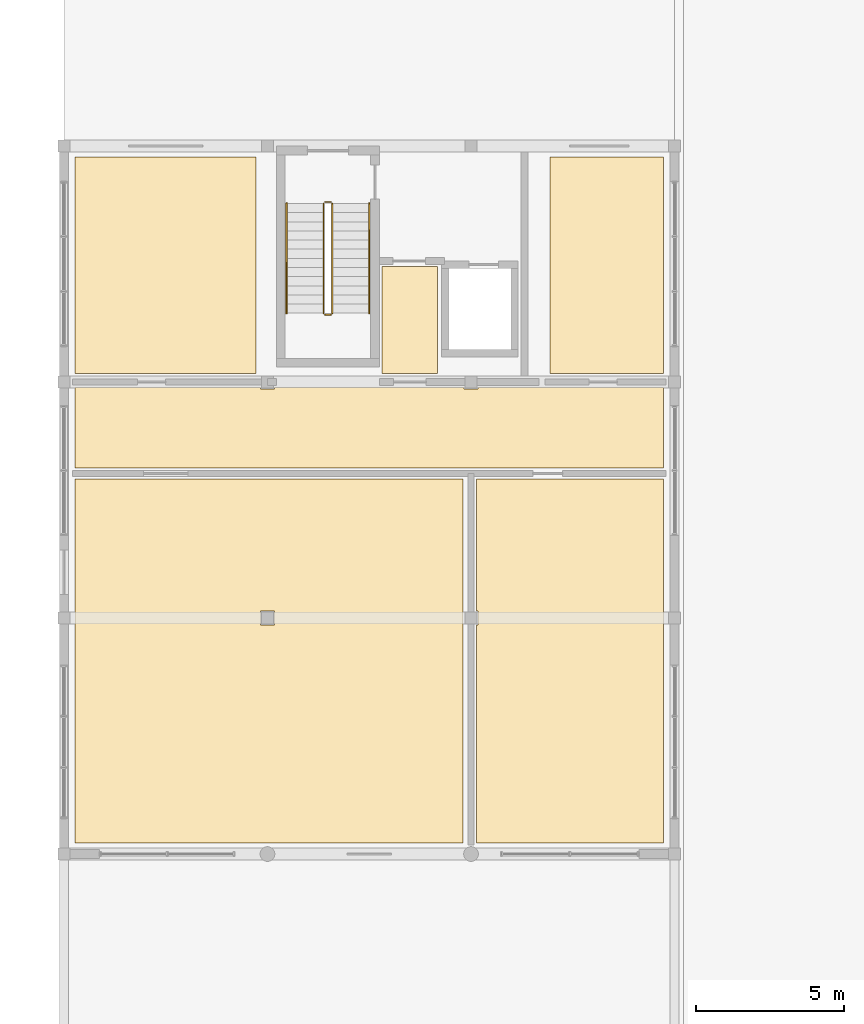
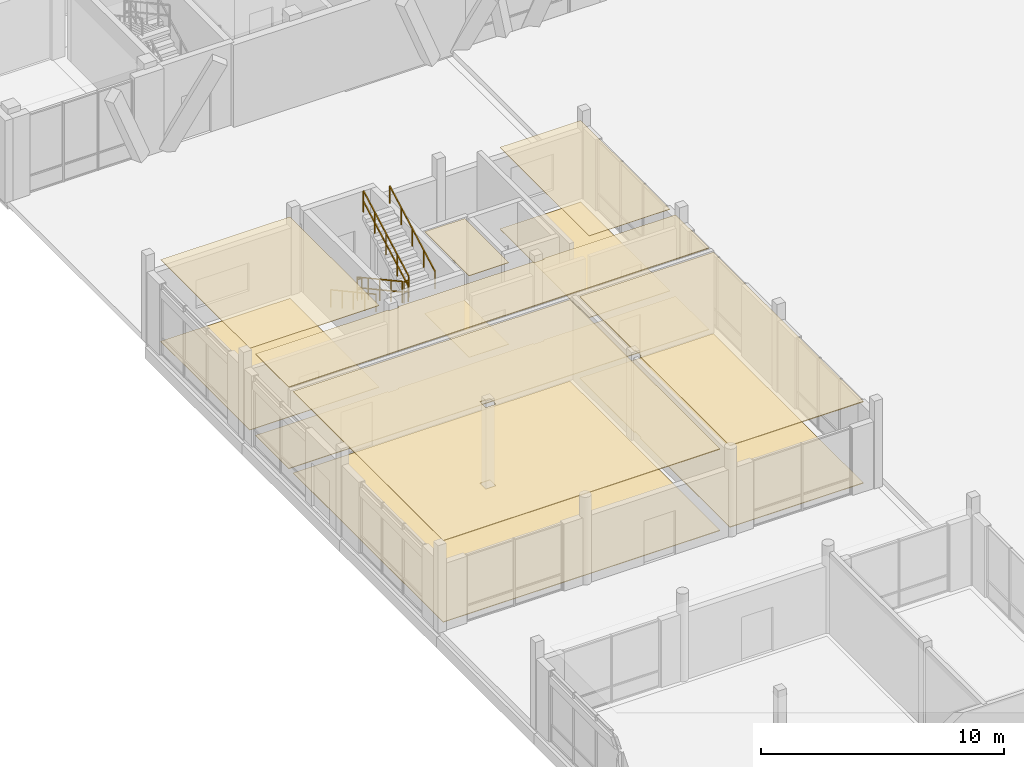
# One storey, part 218 of 233: 12 coverings, 6 railings.
"""IFC4 building model written with IfcOpenShell, lengths in metres."""

from ifc_helpers import new_model, si_unit, direction, frame, origin, origin_2d, place, context, subcontext, project, spatial, polyline, rectangle, outline, extrude, material, layer, layer_set, type_object, element, save


model = new_model("IFC4")

# Units and contexts
model_context = context("Model", 3, precision=1e-05, world=origin(), true_north=direction((0.0, 1.0)))
body_context = subcontext(model_context, "Body", "Model", "MODEL_VIEW")
ifc_project = project(units=[si_unit("LENGTHUNIT", "METRE"), si_unit("AREAUNIT", "SQUARE_METRE"), si_unit("VOLUMEUNIT", "CUBIC_METRE"), si_unit("PLANEANGLEUNIT", "RADIAN"), si_unit("MASSUNIT", "GRAM", prefix="KILO")], contexts=[model_context])

# Site, building, storey
site_placement = place(None, origin())
site = spatial("IfcSite", under=ifc_project, at=site_placement, CompositionType="ELEMENT")
building_placement = place(site_placement, origin())
building = spatial("IfcBuilding", under=site, at=building_placement, Name="Zavelmont Quarter", CompositionType="ELEMENT")
storey_placement = place(building_placement, origin())
storey = spatial("IfcBuildingStorey", under=building, at=storey_placement, Name="L00", CompositionType="ELEMENT", Elevation=0.0)

# Coverings
ifc_material_1 = material(Name="Perforated acoustic gypsum board")
ifc_layer_1 = layer(ifc_material_1, 0.02490234375)
ifc_layer_set_1 = layer_set([ifc_layer_1], Name="Perforated acoustic gypsum board")
covering_type_1 = type_object("IfcCoveringType", Name="CV-CL01", PredefinedType="CEILING", material=ifc_layer_set_1)
covering_1_placement = place(storey_placement, frame((0.0, 0.0, 4.094970703125)))
element("IfcCovering", 1, at=covering_1_placement, inside=storey, type_object=covering_type_1, Name="L00 Lobby Vestibule acoustic ceiling", PredefinedType="CEILING", context=body_context, shape_type="SweptSolid", body=[
    extrude(outline(polyline([(10.780029296875, 81.919921875), (12.669921875, 81.919921875), (12.669921875, 78.280029296875), (10.780029296875, 78.280029296875), (10.780029296875, 81.919921875)])), origin(), (0.0, 0.0, 1.0), 0.025146484375),
])
covering_2_placement = place(storey_placement, frame((0.0, 0.0, 4.094970703125)))
element("IfcCovering", 2, at=covering_2_placement, inside=storey, type_object=covering_type_1, Name="L00 Community Bookshop acoustic ceiling", PredefinedType="CEILING", context=body_context, shape_type="SweptSolid", body=[
    extrude(outline(polyline([(0.3798828125, 85.6201171875), (6.52001953125, 85.6201171875), (6.52001953125, 78.280029296875), (0.3798828125, 78.280029296875), (0.3798828125, 85.6201171875)])), origin(), (0.0, 0.0, 1.0), 0.025146484375),
])
ifc_material_2 = material(Name="Slatted European ash acoustic baffle ceiling")
ifc_layer_2 = layer(ifc_material_2, 0.0400390625)
ifc_layer_set_2 = layer_set([ifc_layer_2], Name="Slatted European ash acoustic baffle ceiling")
covering_type_2 = type_object("IfcCoveringType", Name="CV-CL02", PredefinedType="CEILING", material=ifc_layer_set_2)
covering_3_placement = place(storey_placement, frame((0.0, 0.0, 4.080078125)))
element("IfcCovering", 3, at=covering_3_placement, inside=storey, type_object=covering_type_2, Name="L00 Cafe Lobby Corridor acoustic ceiling", PredefinedType="CEILING", context=body_context, shape_type="SweptSolid", body=[
    extrude(outline(polyline([(0.3798828125, 77.820068359375), (6.659912109375, 77.820068359375), (6.659912109375, 77.760009765625), (7.139892578125, 77.760009765625), (7.139892578125, 77.820068359375), (13.56005859375, 77.820068359375), (13.56005859375, 77.760009765625), (14.0400390625, 77.760009765625), (14.0400390625, 77.820068359375), (20.320068359375, 77.820068359375), (20.320068359375, 75.080078125), (0.3798828125, 75.080078125), (0.3798828125, 77.820068359375)])), origin(), (0.0, 0.0, 1.0), 0.0400390625),
])
covering_4_placement = place(storey_placement, frame((0.0, 0.0, 4.080078125)))
element("IfcCovering", 4, at=covering_4_placement, inside=storey, type_object=covering_type_2, Name="L00 Neighbourhood Cafe Dining acoustic ceiling", PredefinedType="CEILING", context=body_context, shape_type="SweptSolid", body=[
    extrude(outline(polyline([(0.3798828125, 74.719970703125), (13.52001953125, 74.719970703125), (13.52001953125, 62.3798828125), (0.3798828125, 62.3798828125), (0.3798828125, 74.719970703125)]), holes=[polyline([(7.139892578125, 70.239990234375), (6.659912109375, 70.239990234375), (6.659912109375, 69.760009765625), (7.139892578125, 69.760009765625), (7.139892578125, 70.239990234375)])]), origin(), (0.0, 0.0, 1.0), 0.0400390625),
])
covering_5_placement = place(storey_placement, frame((0.0, 0.0, 4.080078125)))
element("IfcCovering", 5, at=covering_5_placement, inside=storey, type_object=covering_type_2, Name="L00 Cafe Kitchen and Roastery acoustic ceiling", PredefinedType="CEILING", context=body_context, shape_type="SweptSolid", body=[
    extrude(outline(polyline([(13.97998046875, 69.760009765625), (14.0400390625, 69.760009765625), (14.0400390625, 70.239990234375), (13.97998046875, 70.239990234375), (13.97998046875, 74.719970703125), (20.320068359375, 74.719970703125), (20.320068359375, 62.3798828125), (13.97998046875, 62.3798828125), (13.97998046875, 69.760009765625)])), origin(), (0.0, 0.0, 1.0), 0.0400390625),
])
ifc_material_3 = material(Name="Moisture-resistant painted gypsum ceiling")
ifc_layer_3 = layer(ifc_material_3, 0.02001953125)
ifc_layer_set_3 = layer_set([ifc_layer_3], Name="Moisture-resistant painted gypsum ceiling")
covering_type_3 = type_object("IfcCoveringType", Name="CV-CL04", PredefinedType="CEILING", material=ifc_layer_set_3)
covering_6_placement = place(storey_placement, frame((0.0, 0.0, 4.10009765625)))
element("IfcCovering", 6, at=covering_6_placement, inside=storey, type_object=covering_type_3, Name="L00 Cafe Accessible Toilet acoustic ceiling", PredefinedType="CEILING", context=body_context, shape_type="SweptSolid", body=[
    extrude(outline(polyline([(16.47998046875, 85.6201171875), (20.320068359375, 85.6201171875), (20.320068359375, 78.280029296875), (16.47998046875, 78.280029296875), (16.47998046875, 85.6201171875)])), origin(), (0.0, 0.0, 1.0), 0.02001953125),
])
ifc_material_4 = material(Name="Engineered European oak parquet")
ifc_layer_4 = layer(ifc_material_4, 0.02197265625)
ifc_layer_set_4 = layer_set([ifc_layer_4], Name="Engineered European oak parquet")
covering_type_4 = type_object("IfcCoveringType", Name="CV-FL01", PredefinedType="FLOORING", material=ifc_layer_set_4)
covering_7_placement = place(storey_placement, origin())
element("IfcCovering", 7, at=covering_7_placement, inside=storey, type_object=covering_type_4, Name="L00 Lobby Vestibule floor finish", PredefinedType="FLOORING", context=body_context, shape_type="SweptSolid", body=[
    extrude(outline(polyline([(10.780029296875, 81.919921875), (12.669921875, 81.919921875), (12.669921875, 78.280029296875), (10.780029296875, 78.280029296875), (10.780029296875, 81.919921875)])), origin(), (0.0, 0.0, 1.0), 0.02197265625),
])
covering_8_placement = place(storey_placement, origin())
element("IfcCovering", 8, at=covering_8_placement, inside=storey, type_object=covering_type_4, Name="L00 Community Bookshop floor finish", PredefinedType="FLOORING", context=body_context, shape_type="SweptSolid", body=[
    extrude(outline(polyline([(0.3798828125, 85.6201171875), (6.52001953125, 85.6201171875), (6.52001953125, 78.280029296875), (0.3798828125, 78.280029296875), (0.3798828125, 85.6201171875)])), origin(), (0.0, 0.0, 1.0), 0.02197265625),
])
ifc_material_5 = material(Name="Honed Belgian bluestone tile", Category="masonry")
ifc_layer_5 = layer(ifc_material_5, 0.030029296875)
ifc_layer_set_5 = layer_set([ifc_layer_5], Name="Honed Belgian bluestone tile")
covering_type_5 = type_object("IfcCoveringType", Name="CV-FL02", PredefinedType="FLOORING", material=ifc_layer_set_5)
covering_9_placement = place(storey_placement, origin())
element("IfcCovering", 9, at=covering_9_placement, inside=storey, type_object=covering_type_5, Name="L00 Cafe Lobby Corridor floor finish", PredefinedType="FLOORING", context=body_context, shape_type="SweptSolid", body=[
    extrude(outline(polyline([(0.3798828125, 77.820068359375), (6.659912109375, 77.820068359375), (6.659912109375, 77.760009765625), (7.139892578125, 77.760009765625), (7.139892578125, 77.820068359375), (13.56005859375, 77.820068359375), (13.56005859375, 77.760009765625), (14.0400390625, 77.760009765625), (14.0400390625, 77.820068359375), (20.320068359375, 77.820068359375), (20.320068359375, 75.080078125), (0.3798828125, 75.080078125), (0.3798828125, 77.820068359375)])), origin(), (0.0, 0.0, 1.0), 0.030029296875),
])
covering_10_placement = place(storey_placement, origin())
element("IfcCovering", 10, at=covering_10_placement, inside=storey, type_object=covering_type_5, Name="L00 Neighbourhood Cafe Dining floor finish", PredefinedType="FLOORING", context=body_context, shape_type="SweptSolid", body=[
    extrude(outline(polyline([(0.3798828125, 74.719970703125), (13.52001953125, 74.719970703125), (13.52001953125, 62.3798828125), (0.3798828125, 62.3798828125), (0.3798828125, 74.719970703125)]), holes=[polyline([(7.139892578125, 70.239990234375), (6.659912109375, 70.239990234375), (6.659912109375, 69.760009765625), (7.139892578125, 69.760009765625), (7.139892578125, 70.239990234375)])]), origin(), (0.0, 0.0, 1.0), 0.030029296875),
])
covering_11_placement = place(storey_placement, origin())
element("IfcCovering", 11, at=covering_11_placement, inside=storey, type_object=covering_type_5, Name="L00 Cafe Kitchen and Roastery floor finish", PredefinedType="FLOORING", context=body_context, shape_type="SweptSolid", body=[
    extrude(outline(polyline([(13.97998046875, 69.760009765625), (14.0400390625, 69.760009765625), (14.0400390625, 70.239990234375), (13.97998046875, 70.239990234375), (13.97998046875, 74.719970703125), (20.320068359375, 74.719970703125), (20.320068359375, 62.3798828125), (13.97998046875, 62.3798828125), (13.97998046875, 69.760009765625)])), origin(), (0.0, 0.0, 1.0), 0.030029296875),
])
ifc_material_6 = material(Name="Slip-resistant porcelain tile")
ifc_layer_6 = layer(ifc_material_6, 0.02587890625)
ifc_layer_set_6 = layer_set([ifc_layer_6], Name="Slip-resistant porcelain tile")
covering_type_6 = type_object("IfcCoveringType", Name="CV-FL04", PredefinedType="FLOORING", material=ifc_layer_set_6)
covering_12_placement = place(storey_placement, origin())
element("IfcCovering", 12, at=covering_12_placement, inside=storey, type_object=covering_type_6, Name="L00 Cafe Accessible Toilet floor finish", PredefinedType="FLOORING", context=body_context, shape_type="SweptSolid", body=[
    extrude(outline(polyline([(16.47998046875, 85.6201171875), (20.320068359375, 85.6201171875), (20.320068359375, 78.280029296875), (16.47998046875, 78.280029296875), (16.47998046875, 85.6201171875)])), origin(), (0.0, 0.0, 1.0), 0.02587890625),
])

# Railings
ifc_material_7 = material(Name="Powder-coated steel stair guardrail", Category="steel")
railing_type_1 = type_object("IfcRailingType", Name="RL-GRD1", PredefinedType="GUARDRAIL", material=ifc_material_7)
railing_1_placement = place(storey_placement, frame((8.800048828125, 84.050048828125, 0.169189453125)))
element("IfcRailing", 13, at=railing_1_placement, inside=storey, type_object=railing_type_1, Name="L00 ST14 stair guardrail 1", PredefinedType="GUARDRAIL", context=body_context, shape_type="SweptSolid", body=[
    extrude(rectangle(XDim=0.048095703125, YDim=0.048095703125, at=origin_2d()), frame((0.0, 0.0, 1.076171875), z_axis=(0.0, -0.877728207833, 0.479158839191), x_axis=(1.0, 0.0, 0.0)), (0.0, 0.0, 1.0), 4.23828125),
    extrude(rectangle(XDim=0.048095703125, YDim=0.048095703125, at=origin_2d()), frame((0.0, 0.0, 0.550048828125), z_axis=(0.0, -0.877728207833, 0.479158839191), x_axis=(1.0, 0.0, 0.0)), (0.0, 0.0, 1.0), 4.23828125),
    extrude(rectangle(XDim=0.0419921875, YDim=0.0419921875, at=origin_2d()), origin(), (0.0, 0.0, 1.0), 1.052001953125),
    extrude(rectangle(XDim=0.0419921875, YDim=0.0419921875, at=origin_2d()), frame((0.0, -0.929931640625, 0.5078125)), (0.0, 0.0, 1.0), 1.052001953125),
    extrude(rectangle(XDim=0.0419921875, YDim=0.0419921875, at=origin_2d()), frame((0.0, -1.85986328125, 1.015380859375)), (0.0, 0.0, 1.0), 1.052001953125),
    extrude(rectangle(XDim=0.0419921875, YDim=0.0419921875, at=origin_2d()), frame((0.0, -2.7900390625, 1.52294921875)), (0.0, 0.0, 1.0), 1.052001953125),
    extrude(rectangle(XDim=0.0419921875, YDim=0.0419921875, at=origin_2d()), frame((0.0, -3.719970703125, 2.03076171875)), (0.0, 0.0, 1.0), 1.052001953125),
])
railing_2_placement = place(storey_placement, frame((8.85009765625, 80.280029296875, 2.199951171875)))
element("IfcRailing", 14, at=railing_2_placement, inside=storey, type_object=railing_type_1, Name="L00 ST14 stair guardrail 2", PredefinedType="GUARDRAIL", context=body_context, shape_type="SweptSolid", body=[
    extrude(rectangle(XDim=0.048095703125, YDim=0.048095703125, at=origin_2d()), frame((0.0, 0.0, 1.076171875), z_axis=(1.0, 0.0, 0.0), x_axis=(0.0, 1.0, 0.0)), (0.0, 0.0, 1.0), 0.199951171875),
    extrude(rectangle(XDim=0.048095703125, YDim=0.048095703125, at=origin_2d()), frame((0.0, 0.0, 0.550048828125), z_axis=(1.0, 0.0, 0.0), x_axis=(0.0, 1.0, 0.0)), (0.0, 0.0, 1.0), 0.199951171875),
    extrude(rectangle(XDim=0.0419921875, YDim=0.0419921875, at=origin_2d()), origin(), (0.0, 0.0, 1.0), 1.052001953125),
    extrude(rectangle(XDim=0.0419921875, YDim=0.0419921875, at=origin_2d()), frame((0.199951171875, 0.0, 0.0)), (0.0, 0.0, 1.0), 1.052001953125),
])
railing_3_placement = place(storey_placement, frame((9.10009765625, 80.330078125, 2.369140625)))
element("IfcRailing", 15, at=railing_3_placement, inside=storey, type_object=railing_type_1, Name="L00 ST14 stair guardrail 3", PredefinedType="GUARDRAIL", context=body_context, shape_type="SweptSolid", body=[
    extrude(rectangle(XDim=0.048095703125, YDim=0.048095703125, at=origin_2d()), frame((0.0, 0.0, 1.076171875), z_axis=(0.0, 0.877728207833, 0.479158839191), x_axis=(-1.0, 0.0, 0.0)), (0.0, 0.0, 1.0), 4.23828125),
    extrude(rectangle(XDim=0.048095703125, YDim=0.048095703125, at=origin_2d()), frame((0.0, 0.0, 0.550048828125), z_axis=(0.0, 0.877728207833, 0.479158839191), x_axis=(-1.0, 0.0, 0.0)), (0.0, 0.0, 1.0), 4.23828125),
    extrude(rectangle(XDim=0.0419921875, YDim=0.0419921875, at=origin_2d()), origin(), (0.0, 0.0, 1.0), 1.052001953125),
    extrude(rectangle(XDim=0.0419921875, YDim=0.0419921875, at=origin_2d()), frame((0.0, 0.929931640625, 0.5078125)), (0.0, 0.0, 1.0), 1.052001953125),
    extrude(rectangle(XDim=0.0419921875, YDim=0.0419921875, at=origin_2d()), frame((0.0, 1.85986328125, 1.015380859375)), (0.0, 0.0, 1.0), 1.052001953125),
    extrude(rectangle(XDim=0.0419921875, YDim=0.0419921875, at=origin_2d()), frame((0.0, 2.7900390625, 1.52294921875)), (0.0, 0.0, 1.0), 1.052001953125),
    extrude(rectangle(XDim=0.0419921875, YDim=0.0419921875, at=origin_2d()), frame((0.0, 3.719970703125, 2.03076171875)), (0.0, 0.0, 1.0), 1.052001953125),
])
railing_4_placement = place(storey_placement, frame((8.85009765625, 84.10009765625, 0.0)))
element("IfcRailing", 16, at=railing_4_placement, inside=storey, type_object=railing_type_1, Name="L00 ST14 stair guardrail 4", PredefinedType="GUARDRAIL", context=body_context, shape_type="SweptSolid", body=[
    extrude(rectangle(XDim=0.048095703125, YDim=0.048095703125, at=origin_2d()), frame((0.0, 0.0, 1.076171875), z_axis=(1.0, 0.0, 0.0), x_axis=(0.0, 1.0, 0.0)), (0.0, 0.0, 1.0), 0.199951171875),
    extrude(rectangle(XDim=0.048095703125, YDim=0.048095703125, at=origin_2d()), frame((0.0, 0.0, 0.550048828125), z_axis=(1.0, 0.0, 0.0), x_axis=(0.0, 1.0, 0.0)), (0.0, 0.0, 1.0), 0.199951171875),
    extrude(rectangle(XDim=0.0419921875, YDim=0.0419921875, at=origin_2d()), origin(), (0.0, 0.0, 1.0), 1.052001953125),
    extrude(rectangle(XDim=0.0419921875, YDim=0.0419921875, at=origin_2d()), frame((0.199951171875, 0.0, 0.0)), (0.0, 0.0, 1.0), 1.052001953125),
])
ifc_material_8 = material(Name="Brushed stainless-steel wall handrail", Category="steel")
railing_type_2 = type_object("IfcRailingType", Name="RL-HND1", PredefinedType="HANDRAIL", material=ifc_material_8)
railing_5_placement = place(storey_placement, frame((7.550048828125, 84.050048828125, 0.169189453125)))
element("IfcRailing", 17, at=railing_5_placement, inside=storey, type_object=railing_type_2, Name="L00 ST14 stair handrail 1", PredefinedType="HANDRAIL", context=body_context, shape_type="SweptSolid", body=[
    extrude(rectangle(XDim=0.048095703125, YDim=0.048095703125, at=origin_2d()), frame((0.0, 0.0, 0.8759765625), z_axis=(0.0, -0.877728207833, 0.479158839191), x_axis=(1.0, 0.0, 0.0)), (0.0, 0.0, 1.0), 4.23828125),
    extrude(rectangle(XDim=0.0419921875, YDim=0.0419921875, at=origin_2d()), origin(), (0.0, 0.0, 1.0), 0.851806640625),
    extrude(rectangle(XDim=0.0419921875, YDim=0.0419921875, at=origin_2d()), frame((0.0, -0.929931640625, 0.5078125)), (0.0, 0.0, 1.0), 0.851806640625),
    extrude(rectangle(XDim=0.0419921875, YDim=0.0419921875, at=origin_2d()), frame((0.0, -1.85986328125, 1.015380859375)), (0.0, 0.0, 1.0), 0.851806640625),
    extrude(rectangle(XDim=0.0419921875, YDim=0.0419921875, at=origin_2d()), frame((0.0, -2.7900390625, 1.52294921875)), (0.0, 0.0, 1.0), 0.851806640625),
    extrude(rectangle(XDim=0.0419921875, YDim=0.0419921875, at=origin_2d()), frame((0.0, -3.719970703125, 2.03076171875)), (0.0, 0.0, 1.0), 0.851806640625),
])
railing_6_placement = place(storey_placement, frame((10.35009765625, 80.330078125, 2.369140625)))
element("IfcRailing", 18, at=railing_6_placement, inside=storey, type_object=railing_type_2, Name="L00 ST14 stair handrail 2", PredefinedType="HANDRAIL", context=body_context, shape_type="SweptSolid", body=[
    extrude(rectangle(XDim=0.048095703125, YDim=0.048095703125, at=origin_2d()), frame((0.0, 0.0, 0.8759765625), z_axis=(0.0, 0.877728207833, 0.479158839191), x_axis=(-1.0, 0.0, 0.0)), (0.0, 0.0, 1.0), 4.23828125),
    extrude(rectangle(XDim=0.0419921875, YDim=0.0419921875, at=origin_2d()), origin(), (0.0, 0.0, 1.0), 0.851806640625),
    extrude(rectangle(XDim=0.0419921875, YDim=0.0419921875, at=origin_2d()), frame((0.0, 0.929931640625, 0.5078125)), (0.0, 0.0, 1.0), 0.851806640625),
    extrude(rectangle(XDim=0.0419921875, YDim=0.0419921875, at=origin_2d()), frame((0.0, 1.85986328125, 1.015380859375)), (0.0, 0.0, 1.0), 0.851806640625),
    extrude(rectangle(XDim=0.0419921875, YDim=0.0419921875, at=origin_2d()), frame((0.0, 2.7900390625, 1.52294921875)), (0.0, 0.0, 1.0), 0.851806640625),
    extrude(rectangle(XDim=0.0419921875, YDim=0.0419921875, at=origin_2d()), frame((0.0, 3.719970703125, 2.03076171875)), (0.0, 0.0, 1.0), 0.851806640625),
])

save(model, "model.ifc")
